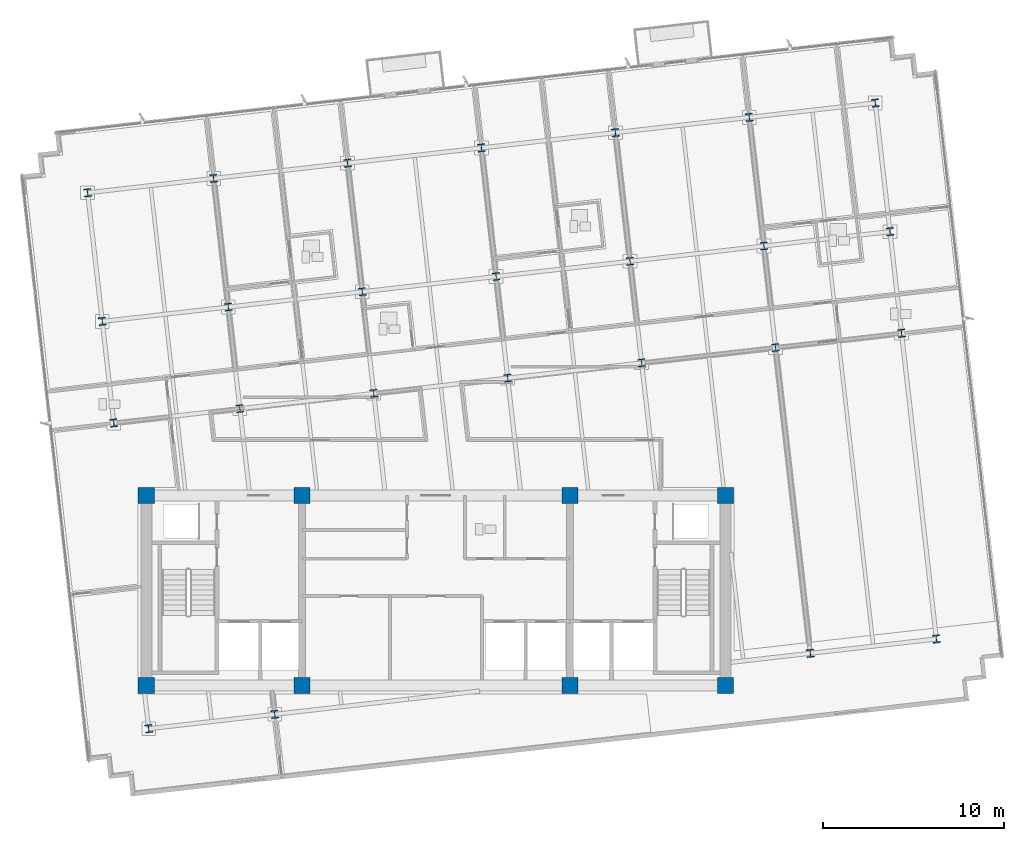
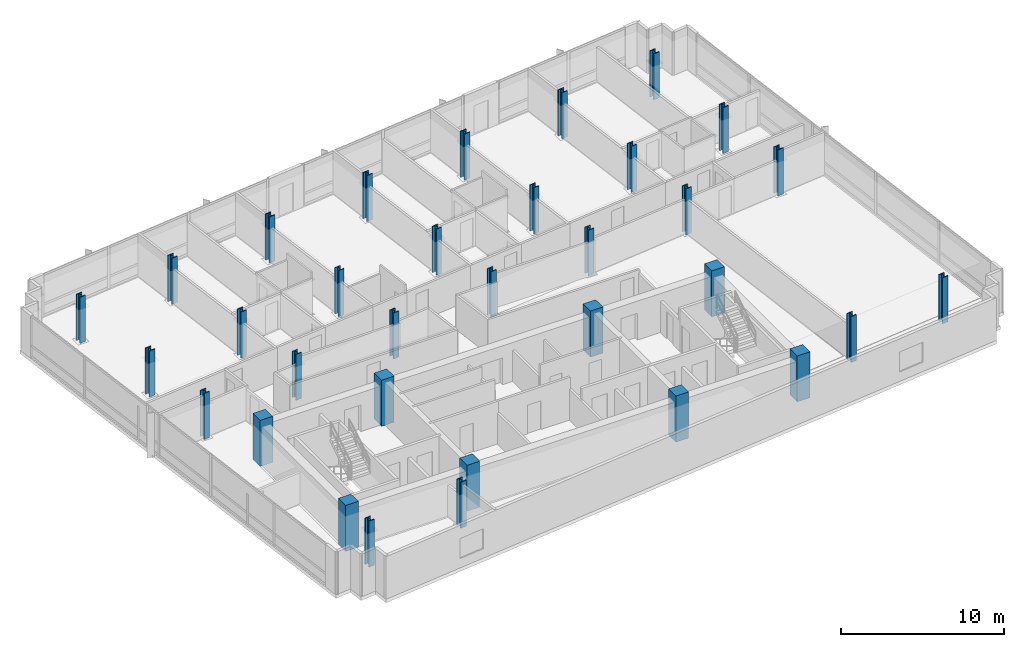
# One storey, part 1 of 16: 33 columns.
"""IFC4 building model written with IfcOpenShell, lengths in metres."""

from ifc_helpers import new_model, si_unit, direction, frame, origin, origin_2d, place, context, subcontext, project, spatial, rectangle, i_section, extrude, material, material_profile, profile_set, type_object, element, save


model = new_model("IFC4")

# Units and contexts
model_context = context("Model", 3, precision=1e-05, world=origin(), true_north=direction((0.0, 1.0)))
body_context = subcontext(model_context, "Body", "Model", "MODEL_VIEW")
ifc_project = project(units=[si_unit("LENGTHUNIT", "METRE"), si_unit("AREAUNIT", "SQUARE_METRE"), si_unit("VOLUMEUNIT", "CUBIC_METRE"), si_unit("PLANEANGLEUNIT", "RADIAN"), si_unit("MASSUNIT", "GRAM", prefix="KILO")], contexts=[model_context])

# Site, building, storey
site_placement = place(None, origin())
site = spatial("IfcSite", under=ifc_project, at=site_placement, CompositionType="ELEMENT")
building_placement = place(site_placement, origin())
building = spatial("IfcBuilding", under=site, at=building_placement, Name="Solmavex Isthmus Hotel", CompositionType="ELEMENT")
storey_placement = place(building_placement, frame((0.0, 0.0, 212.39990234375)))
storey = spatial("IfcBuildingStorey", under=building, at=storey_placement, Name="L57", CompositionType="ELEMENT", Elevation=212.39990234375)

# Columns
ifc_material_1 = material(Name="Concrete C50/60", Category="concrete")
ifc_material_profile_1 = material_profile(ifc_material_1, rectangle(XDim=0.89990234375, YDim=0.89990234375, at=origin_2d()), Name="RC900X900")
ifc_profile_set_1 = profile_set([ifc_material_profile_1], Name="Concrete C50/60")
column_type_1 = type_object("IfcColumnType", Name="COL-CC-900", PredefinedType="COLUMN", material=ifc_profile_set_1)
for number, where, z_axis, x_axis, name in (
    (1, (-16.0, -13.0, 0.0), (0.0, 0.0, 1.0), (1.0, 0.0, 0.0), "Core Pilaster CC-SW L57"),
    (2, (-7.39990234375, -13.0, 0.0), (0.0, 0.0, 1.0), (1.0, 0.0, 0.0), "Core Pilaster CC-S1 L57"),
    (3, (7.39990234375, -13.0, 0.0), (0.0, 0.0, 1.0), (1.0, 0.0, 0.0), "Core Pilaster CC-S2 L57"),
    (4, (16.0, -13.0, 0.0), (0.0, 0.0, 1.0), (1.0, 0.0, 0.0), "Core Pilaster CC-SE L57"),
    (5, (-16.0, -2.5, 0.0), (0.0, 0.0, 1.0), (1.0, 0.0, 0.0), "Core Pilaster CC-NW L57"),
    (6, (-7.39990234375, -2.5, 0.0), (0.0, 0.0, 1.0), (1.0, 0.0, 0.0), "Core Pilaster CC-N1 L57"),
    (7, (7.39990234375, -2.5, 0.0), (0.0, 0.0, 1.0), (1.0, 0.0, 0.0), "Core Pilaster CC-N2 L57"),
    (8, (16.0, -2.5, 0.0), (0.0, 0.0, 1.0), (1.0, 0.0, 0.0), "Core Pilaster CC-NE L57"),
):
    element("IfcColumn", number, at=place(storey_placement, frame(where, z_axis=z_axis, x_axis=x_axis)), inside=storey, type_object=column_type_1, Name=name, PredefinedType="COLUMN", context=body_context, shape_type="SweptSolid", body=[
        extrude(rectangle(XDim=0.89990234375, YDim=0.89990234375, at=origin_2d()), origin(), (0.0, 0.0, 1.0), 3.4501953125),
    ])
ifc_material_2 = material(Name="Steel ASTM A913 Grade 65", Category="steel")
ifc_material_profile_2 = material_profile(ifc_material_2, i_section(OverallWidth=0.412109375, OverallDepth=0.434814453125, WebThickness=0.035888671875, FlangeThickness=0.057373046875, FilletRadius=0.030517578125, at=origin_2d()), Name="W14X311")
ifc_profile_set_2 = profile_set([ifc_material_profile_2], Name="Steel ASTM A913 Grade 65")
column_type_2 = type_object("IfcColumnType", Name="COL-SC-W14X311", PredefinedType="COLUMN", material=ifc_profile_set_2)
for number, where, z_axis, x_axis, name in (
    (9, (-10.833984375, 2.30078125, 0.0), (0.0, 0.0, 1.0), (0.993571855677, 0.113203213768, 0.0), "Tower Column B4-U2V2 L57"),
    (10, (-11.473388671875, 7.912353515625, 0.0), (0.0, 0.0, 1.0), (0.993571855677, 0.113203213768, 0.0), "Tower Column B4-U2V3 L57"),
    (11, (-3.435791015625, 3.1435546875, 0.0), (0.0, 0.0, 1.0), (0.993571855677, 0.113203213768, 0.0), "Tower Column B4-U3V2 L57"),
    (12, (-4.0751953125, 8.75537109375, 0.0), (0.0, 0.0, 1.0), (0.993571855677, 0.113203213768, 0.0), "Tower Column B4-U3V3 L57"),
    (13, (3.962158203125, 3.986572265625, 0.0), (0.0, 0.0, 1.0), (0.993571855677, 0.113203213768, 0.0), "Tower Column B4-U4V2 L57"),
    (14, (3.322998046875, 9.59814453125, 0.0), (0.0, 0.0, 1.0), (0.993571855677, 0.113203213768, 0.0), "Tower Column B4-U4V3 L57"),
    (15, (11.3603515625, 4.829345703125, 0.0), (0.0, 0.0, 1.0), (0.993571855677, 0.113203213768, 0.0), "Tower Column B4-U5V2 L57"),
    (16, (10.720947265625, 10.441162109375, 0.0), (0.0, 0.0, 1.0), (0.993571855677, 0.113203213768, 0.0), "Tower Column B4-U5V3 L57"),
    (17, (18.758544921875, 5.67236328125, 0.0), (0.0, 0.0, 1.0), (0.993571855677, 0.113203213768, 0.0), "Tower Column B4-U6V2 L57"),
    (18, (18.119140625, 11.283935546875, 0.0), (0.0, 0.0, 1.0), (0.993571855677, 0.113203213768, 0.0), "Tower Column B4-U6V3 L57"),
):
    element("IfcColumn", number, at=place(storey_placement, frame(where, z_axis=z_axis, x_axis=x_axis)), inside=storey, type_object=column_type_2, Name=name, PredefinedType="COLUMN", context=body_context, shape_type="SweptSolid", body=[
        extrude(i_section(OverallWidth=0.412109375, OverallDepth=0.434814453125, WebThickness=0.035888671875, FlangeThickness=0.057373046875, FilletRadius=0.030517578125, at=origin_2d()), origin(), (0.0, 0.0, 1.0), 3.4501953125),
    ])
ifc_material_profile_3 = material_profile(ifc_material_2, i_section(OverallWidth=0.41845703125, OverallDepth=0.455078125, WebThickness=0.0419921875, FlangeThickness=0.067626953125, FilletRadius=0.030517578125, at=origin_2d()), Name="W14X370")
ifc_profile_set_3 = profile_set([ifc_material_profile_3], Name="Steel ASTM A913 Grade 65")
column_type_3 = type_object("IfcColumnType", Name="COL-SC-W14X370", PredefinedType="COLUMN", material=ifc_profile_set_3)
for number, where, z_axis, x_axis, name in (
    (19, (-15.87255859375, -15.38330078125, 0.0), (0.0, 0.0, 1.0), (0.993571855677, 0.113203213768, 0.0), "Tower Column B4-U1V1 L57"),
    (20, (-17.796875, 1.50732421875, 0.0), (0.0, 0.0, 1.0), (0.993571855677, 0.113203213768, 0.0), "Tower Column B4-U1V2 L57"),
    (21, (-18.436279296875, 7.119140625, 0.0), (0.0, 0.0, 1.0), (0.993571855677, 0.113203213768, 0.0), "Tower Column B4-U1V3 L57"),
    (22, (-19.245849609375, 14.22509765625, 0.0), (0.0, 0.0, 1.0), (0.993571855677, 0.113203213768, 0.0), "Tower Column B4-U1V4 L57"),
    (23, (-8.909423828125, -14.590087890625, 0.0), (0.0, 0.0, 1.0), (0.993571855677, 0.113203213768, 0.0), "Tower Column B4-U2V1 L57"),
    (24, (-12.282958984375, 15.018310546875, 0.0), (0.0, 0.0, 1.0), (0.993571855677, 0.113203213768, 0.0), "Tower Column B4-U2V4 L57"),
    (25, (-4.884765625, 15.861328125, 0.0), (0.0, 0.0, 1.0), (0.993571855677, 0.113203213768, 0.0), "Tower Column B4-U3V4 L57"),
    (26, (2.51318359375, 16.7041015625, 0.0), (0.0, 0.0, 1.0), (0.993571855677, 0.113203213768, 0.0), "Tower Column B4-U4V4 L57"),
    (27, (9.911376953125, 17.547119140625, 0.0), (0.0, 0.0, 1.0), (0.993571855677, 0.113203213768, 0.0), "Tower Column B4-U5V4 L57"),
    (28, (20.68310546875, -11.218505859375, 0.0), (0.0, 0.0, 1.0), (0.993571855677, 0.113203213768, 0.0), "Tower Column B4-U6V1 L57"),
    (29, (17.3095703125, 18.39013671875, 0.0), (0.0, 0.0, 1.0), (0.993571855677, 0.113203213768, 0.0), "Tower Column B4-U6V4 L57"),
    (30, (27.64599609375, -10.425048828125, 0.0), (0.0, 0.0, 1.0), (0.993571855677, 0.113203213768, 0.0), "Tower Column B4-U7V1 L57"),
    (31, (25.721435546875, 6.465576171875, 0.0), (0.0, 0.0, 1.0), (0.993571855677, 0.113203213768, 0.0), "Tower Column B4-U7V2 L57"),
    (32, (25.08203125, 12.077392578125, 0.0), (0.0, 0.0, 1.0), (0.993571855677, 0.113203213768, 0.0), "Tower Column B4-U7V3 L57"),
    (33, (24.2724609375, 19.183349609375, 0.0), (0.0, 0.0, 1.0), (0.993571855677, 0.113203213768, 0.0), "Tower Column B4-U7V4 L57"),
):
    element("IfcColumn", number, at=place(storey_placement, frame(where, z_axis=z_axis, x_axis=x_axis)), inside=storey, type_object=column_type_3, Name=name, PredefinedType="COLUMN", context=body_context, shape_type="SweptSolid", body=[
        extrude(i_section(OverallWidth=0.41845703125, OverallDepth=0.455078125, WebThickness=0.0419921875, FlangeThickness=0.067626953125, FilletRadius=0.030517578125, at=origin_2d()), origin(), (0.0, 0.0, 1.0), 3.4501953125),
    ])

save(model, "model.ifc")
